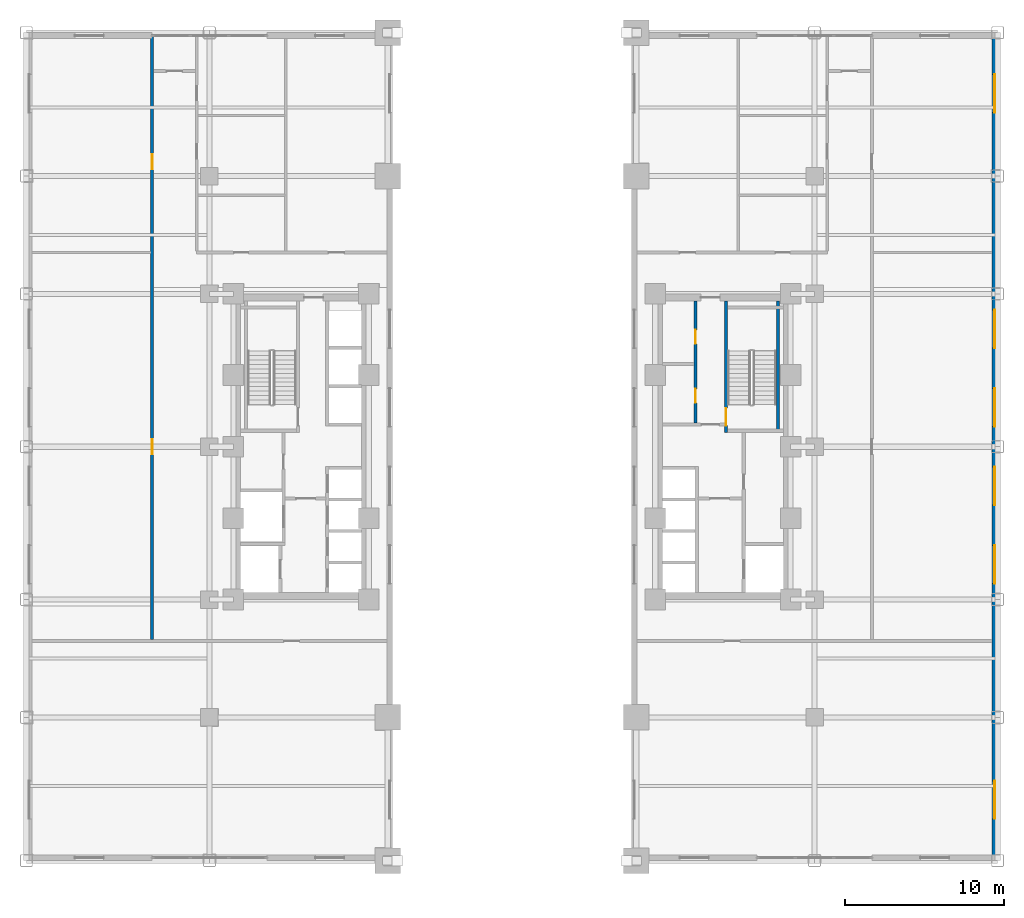
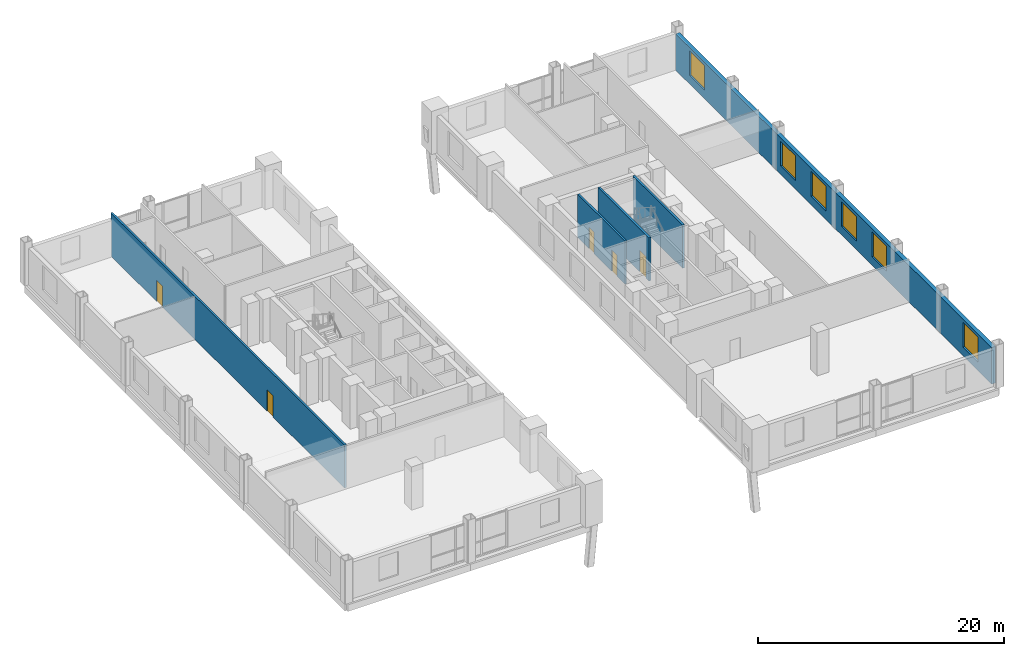
# One storey, part 5 of 15: 6 windows, 5 doors, 5 walls, 11 openings.
"""IFC4 building model written with IfcOpenShell, lengths in metres."""

from ifc_helpers import new_model, si_unit, direction, frame, frame_2d, origin, place, context, subcontext, project, spatial, rectangle, extrude, source, transform, mapped, material, layer, layer_set, type_object, type_shapes, element, fill, save


model = new_model("IFC4")

# Units and contexts
model_context = context("Model", 3, precision=1e-05, world=origin(), true_north=direction((0.0, 1.0)))
body_context = subcontext(model_context, "Body", "Model", "MODEL_VIEW")
ifc_project = project(units=[si_unit("LENGTHUNIT", "METRE"), si_unit("AREAUNIT", "SQUARE_METRE"), si_unit("VOLUMEUNIT", "CUBIC_METRE"), si_unit("PLANEANGLEUNIT", "RADIAN"), si_unit("MASSUNIT", "GRAM", prefix="KILO")], contexts=[model_context])

# Site, building, storey
site_placement = place(None, origin())
site = spatial("IfcSite", under=ifc_project, at=site_placement, CompositionType="ELEMENT")
building_placement = place(site_placement, origin())
building = spatial("IfcBuilding", under=site, at=building_placement, Name="Nuvemarco Arch Tower", CompositionType="ELEMENT")
storey_placement = place(building_placement, frame((0.0, 0.0, 4.60009765625)))
storey = spatial("IfcBuildingStorey", under=building, at=storey_placement, Name="L01", CompositionType="ELEMENT", Elevation=4.60009765625)

# Wall, openings, windows
ifc_material_1 = material(Name="Precast concrete C45/55", Category="concrete")
ifc_layer_1 = layer(ifc_material_1, 0.360107421875, Name="EW-POD-360")
ifc_layer_set_1 = layer_set([ifc_layer_1], Name="Precast concrete C45/55")
wall_type_1 = type_object("IfcWallType", Name="EW-POD-360", PredefinedType="STANDARD", material=ifc_layer_set_1)
wall_1_placement = place(storey_placement, frame((30.320068359375, -25.64404296875, 0.0), z_axis=(0.0, 0.0, 1.0), x_axis=(0.0, 1.0, 0.0)))
wall_1 = element("IfcWall", 1, at=wall_1_placement, inside=storey, type_object=wall_type_1, Name="L01 exterior precast facade wall 2", PredefinedType="STANDARD", context=body_context, shape_type="SweptSolid", body=[
    extrude(rectangle(XDim=51.2880859375, YDim=0.360107421875, at=frame_2d((25.64404296875, 0.0))), origin(), (0.0, 0.0, 1.0), 3.614990234375),
])
opening_1_placement = place(wall_1_placement, frame((2.264404296875, 0.0, 0.85009765625)))
opening_1 = element("IfcOpeningElement", 2, at=opening_1_placement, cuts=wall_1, Name="Opening WN-1", PredefinedType="OPENING", context=body_context, shape_type="SweptSolid", body=[
    extrude(rectangle(XDim=2.39990234375, YDim=2.449951171875, at=frame_2d((1.199951171875, 1.22509765625))), frame((0.0, 0.18994140625, 0.0), z_axis=(0.0, -1.0, 0.0), x_axis=(1.0, 0.0, 0.0)), (0.0, 0.0, 1.0), 0.380126953125),
])
opening_2_placement = place(wall_1_placement, frame((17.05078125, 0.0, 0.85009765625)))
opening_2 = element("IfcOpeningElement", 3, at=opening_2_placement, cuts=wall_1, Name="Opening WN-1", PredefinedType="OPENING", context=body_context, shape_type="SweptSolid", body=[
    extrude(rectangle(XDim=2.39990234375, YDim=2.449951171875, at=frame_2d((1.199951171875, 1.22509765625))), frame((0.0, 0.18994140625, 0.0), z_axis=(0.0, -1.0, 0.0), x_axis=(1.0, 0.0, 0.0)), (0.0, 0.0, 1.0), 0.380126953125),
])
opening_3_placement = place(wall_1_placement, frame((21.9794921875, 0.0, 0.85009765625)))
opening_3 = element("IfcOpeningElement", 4, at=opening_3_placement, cuts=wall_1, Name="Opening WN-1", PredefinedType="OPENING", context=body_context, shape_type="SweptSolid", body=[
    extrude(rectangle(XDim=2.39990234375, YDim=2.449951171875, at=frame_2d((1.199951171875, 1.22509765625))), frame((0.0, 0.18994140625, 0.0), z_axis=(0.0, -1.0, 0.0), x_axis=(1.0, 0.0, 0.0)), (0.0, 0.0, 1.0), 0.380126953125),
])
opening_4_placement = place(wall_1_placement, frame((26.908447265625, 0.0, 0.85009765625)))
opening_4 = element("IfcOpeningElement", 5, at=opening_4_placement, cuts=wall_1, Name="Opening WN-1", PredefinedType="OPENING", context=body_context, shape_type="SweptSolid", body=[
    extrude(rectangle(XDim=2.39990234375, YDim=2.449951171875, at=frame_2d((1.199951171875, 1.22509765625))), frame((0.0, 0.18994140625, 0.0), z_axis=(0.0, -1.0, 0.0), x_axis=(1.0, 0.0, 0.0)), (0.0, 0.0, 1.0), 0.380126953125),
])
opening_5_placement = place(wall_1_placement, frame((31.837158203125, 0.0, 0.85009765625)))
opening_5 = element("IfcOpeningElement", 6, at=opening_5_placement, cuts=wall_1, Name="Opening WN-1", PredefinedType="OPENING", context=body_context, shape_type="SweptSolid", body=[
    extrude(rectangle(XDim=2.39990234375, YDim=2.449951171875, at=frame_2d((1.199951171875, 1.22509765625))), frame((0.0, 0.18994140625, 0.0), z_axis=(0.0, -1.0, 0.0), x_axis=(1.0, 0.0, 0.0)), (0.0, 0.0, 1.0), 0.380126953125),
])
opening_6_placement = place(wall_1_placement, frame((46.62353515625, 0.0, 0.85009765625)))
opening_6 = element("IfcOpeningElement", 7, at=opening_6_placement, cuts=wall_1, Name="Opening WN-1", PredefinedType="OPENING", context=body_context, shape_type="SweptSolid", body=[
    extrude(rectangle(XDim=2.39990234375, YDim=2.449951171875, at=frame_2d((1.199951171875, 1.22509765625))), frame((0.0, 0.18994140625, 0.0), z_axis=(0.0, -1.0, 0.0), x_axis=(1.0, 0.0, 0.0)), (0.0, 0.0, 1.0), 0.380126953125),
])
ifc_material_2 = material(Name="Insulated solar-control glass", Category="glass")
window_type = type_object("IfcWindowType", Name="WN-POD-2400x2450", PartitioningType="DOUBLE_PANEL_VERTICAL", PredefinedType="WINDOW", material=ifc_material_2)
shared_shape_1 = source(origin(), body_context, "Body", "SweptSolid", [
    extrude(rectangle(XDim=2.39990234375, YDim=2.449951171875, at=frame_2d((1.199951171875, 1.22509765625))), frame((0.0, 0.030029296875, 0.0), z_axis=(0.0, -1.0, 0.0), x_axis=(1.0, 0.0, 0.0)), (0.0, 0.0, 1.0), 0.06005859375),
])
type_shapes(window_type, [shared_shape_1])
window_1_placement = place(opening_1_placement, origin())
window_1 = element("IfcWindow", 8, at=window_1_placement, inside=storey, type_object=window_type, Name="L01 punched facade window 1", OverallHeight=2.449951171875, OverallWidth=2.39990234375, PartitioningType="SINGLE_PANEL", PredefinedType="WINDOW", context=body_context, shape_type="MappedRepresentation", body=[
    mapped(shared_shape_1, transform((0.0, 0.0, 0.0), scale=1.0)),
])
fill(opening_1, window_1)
window_2_placement = place(opening_2_placement, origin())
window_2 = element("IfcWindow", 9, at=window_2_placement, inside=storey, type_object=window_type, Name="L01 punched facade window 4", OverallHeight=2.449951171875, OverallWidth=2.39990234375, PartitioningType="SINGLE_PANEL", PredefinedType="WINDOW", context=body_context, shape_type="MappedRepresentation", body=[
    mapped(shared_shape_1, transform((0.0, 0.0, 0.0), scale=1.0)),
])
fill(opening_2, window_2)
window_3_placement = place(opening_3_placement, origin())
window_3 = element("IfcWindow", 10, at=window_3_placement, inside=storey, type_object=window_type, Name="L01 punched facade window 5", OverallHeight=2.449951171875, OverallWidth=2.39990234375, PartitioningType="SINGLE_PANEL", PredefinedType="WINDOW", context=body_context, shape_type="MappedRepresentation", body=[
    mapped(shared_shape_1, transform((0.0, 0.0, 0.0), scale=1.0)),
])
fill(opening_3, window_3)
window_4_placement = place(opening_4_placement, origin())
window_4 = element("IfcWindow", 11, at=window_4_placement, inside=storey, type_object=window_type, Name="L01 punched facade window 6", OverallHeight=2.449951171875, OverallWidth=2.39990234375, PartitioningType="SINGLE_PANEL", PredefinedType="WINDOW", context=body_context, shape_type="MappedRepresentation", body=[
    mapped(shared_shape_1, transform((0.0, 0.0, 0.0), scale=1.0)),
])
fill(opening_4, window_4)
window_5_placement = place(opening_5_placement, origin())
window_5 = element("IfcWindow", 12, at=window_5_placement, inside=storey, type_object=window_type, Name="L01 punched facade window 7", OverallHeight=2.449951171875, OverallWidth=2.39990234375, PartitioningType="SINGLE_PANEL", PredefinedType="WINDOW", context=body_context, shape_type="MappedRepresentation", body=[
    mapped(shared_shape_1, transform((0.0, 0.0, 0.0), scale=1.0)),
])
fill(opening_5, window_5)
window_6_placement = place(opening_6_placement, origin())
window_6 = element("IfcWindow", 13, at=window_6_placement, inside=storey, type_object=window_type, Name="L01 punched facade window 10", OverallHeight=2.449951171875, OverallWidth=2.39990234375, PartitioningType="SINGLE_PANEL", PredefinedType="WINDOW", context=body_context, shape_type="MappedRepresentation", body=[
    mapped(shared_shape_1, transform((0.0, 0.0, 0.0), scale=1.0)),
])
fill(opening_6, window_6)

# Wall, openings, doors
ifc_material_3 = material(Name="Fire-rated gypsum drywall partition")
ifc_layer_2 = layer(ifc_material_3, 0.179931640625, Name="WL-CORR-180")
ifc_layer_set_2 = layer_set([ifc_layer_2], Name="Fire-rated gypsum drywall partition")
wall_type_2 = type_object("IfcWallType", Name="WL-CORR-180", PredefinedType="PARTITIONING", material=ifc_layer_set_2)
wall_2_placement = place(storey_placement, frame((11.52001953125, 1.489990234375, 0.0), z_axis=(0.0, 0.0, 1.0), x_axis=(0.0, 1.0, 0.0)))
wall_2 = element("IfcWall", 14, at=wall_2_placement, inside=storey, type_object=wall_type_2, Name="L01 interior wall IW-L01-EK2", PredefinedType="PARTITIONING", context=body_context, shape_type="SweptSolid", body=[
    extrude(rectangle(XDim=7.6650390625, YDim=0.179931640625, at=frame_2d((3.83251953125, 0.0))), origin(), (0.0, 0.0, 1.0), 4.27001953125),
])
opening_7_placement = place(wall_2_placement, frame((1.27001953125, 0.0, 0.0)))
opening_7 = element("IfcOpeningElement", 15, at=opening_7_placement, cuts=wall_2, Name="Opening FD-4", PredefinedType="OPENING", context=body_context, shape_type="SweptSolid", body=[
    extrude(rectangle(XDim=0.8798828125, YDim=2.10009765625, at=frame_2d((0.43994140625, 1.050048828125))), frame((0.0, 0.099853515625, 0.0), z_axis=(0.0, -1.0, 0.0), x_axis=(1.0, 0.0, 0.0)), (0.0, 0.0, 1.0), 0.199951171875),
])
opening_8_placement = place(wall_2_placement, frame((4.969970703125, 0.0, 0.0)))
opening_8 = element("IfcOpeningElement", 16, at=opening_8_placement, cuts=wall_2, Name="Opening FD-4", PredefinedType="OPENING", context=body_context, shape_type="SweptSolid", body=[
    extrude(rectangle(XDim=0.8798828125, YDim=2.10009765625, at=frame_2d((0.43994140625, 1.050048828125))), frame((0.0, 0.099853515625, 0.0), z_axis=(0.0, -1.0, 0.0), x_axis=(1.0, 0.0, 0.0)), (0.0, 0.0, 1.0), 0.199951171875),
])
ifc_material_4 = material(Name="Anodised steel fire door", Category="steel")
door_type_1 = type_object("IfcDoorType", Name="DR-RISER-FD", OperationType="NOTDEFINED", PredefinedType="DOOR", material=ifc_material_4)
shared_shape_2 = source(origin(), body_context, "Body", "SweptSolid", [
    extrude(rectangle(XDim=0.8798828125, YDim=2.10009765625, at=frame_2d((0.43994140625, 1.050048828125))), frame((0.0, 0.02490234375, 0.0), z_axis=(0.0, -1.0, 0.0), x_axis=(1.0, 0.0, 0.0)), (0.0, 0.0, 1.0), 0.050048828125),
])
type_shapes(door_type_1, [shared_shape_2])
door_1_placement = place(opening_7_placement, origin())
door_1 = element("IfcDoor", 17, at=door_1_placement, inside=storey, type_object=door_type_1, Name="L01 door FD-L01-EK2A", OperationType="SINGLE_SWING_RIGHT", OverallHeight=2.10009765625, OverallWidth=0.8798828125, PredefinedType="DOOR", context=body_context, shape_type="MappedRepresentation", body=[
    mapped(shared_shape_2, transform((0.0, 0.0, 0.0), scale=1.0)),
])
fill(opening_7, door_1)
door_2_placement = place(opening_8_placement, origin())
door_2 = element("IfcDoor", 18, at=door_2_placement, inside=storey, type_object=door_type_1, Name="L01 door FD-L01-EK2B", OperationType="SINGLE_SWING_LEFT", OverallHeight=2.10009765625, OverallWidth=0.8798828125, PredefinedType="DOOR", context=body_context, shape_type="MappedRepresentation", body=[
    mapped(shared_shape_2, transform((0.0, 0.0, 0.0), scale=1.0)),
])
fill(opening_8, door_2)

wall_3_placement = place(storey_placement, frame((-22.60009765625, -12.114013671875, 0.0), z_axis=(0.0, 0.0, 1.0), x_axis=(0.0, 1.0, 0.0)))
wall_3 = element("IfcWall", 19, at=wall_3_placement, inside=storey, type_object=wall_type_2, Name="L01 interior wall IW-L01-013", PredefinedType="PARTITIONING", context=body_context, shape_type="SweptSolid", body=[
    extrude(rectangle(XDim=37.9189453125, YDim=0.179931640625, at=frame_2d((18.95947265625, 0.0))), origin(), (0.0, 0.0, 1.0), 4.27001953125),
])
opening_9_placement = place(wall_3_placement, frame((11.634033203125, 0.0, 0.0)))
opening_9 = element("IfcOpeningElement", 20, at=opening_9_placement, cuts=wall_3, Name="Opening FD-5", PredefinedType="OPENING", context=body_context, shape_type="SweptSolid", body=[
    extrude(rectangle(XDim=0.9599609375, YDim=2.10009765625, at=frame_2d((0.47998046875, 1.050048828125))), frame((0.0, 0.099853515625, 0.0), z_axis=(0.0, -1.0, 0.0), x_axis=(1.0, 0.0, 0.0)), (0.0, 0.0, 1.0), 0.199951171875),
])
opening_10_placement = place(wall_3_placement, frame((29.533935546875, 0.0, 0.0)))
opening_10 = element("IfcOpeningElement", 21, at=opening_10_placement, cuts=wall_3, Name="Opening FD-5", PredefinedType="OPENING", context=body_context, shape_type="SweptSolid", body=[
    extrude(rectangle(XDim=0.9599609375, YDim=2.10009765625, at=frame_2d((0.47998046875, 1.050048828125))), frame((0.0, 0.099853515625, 0.0), z_axis=(0.0, -1.0, 0.0), x_axis=(1.0, 0.0, 0.0)), (0.0, 0.0, 1.0), 0.199951171875),
])
ifc_material_5 = material(Name="Timber fire door", Category="wood")
door_type_2 = type_object("IfcDoorType", Name="DR-CORR-FD", OperationType="NOTDEFINED", PredefinedType="DOOR", material=ifc_material_5)
shared_shape_3 = source(origin(), body_context, "Body", "SweptSolid", [
    extrude(rectangle(XDim=0.9599609375, YDim=2.10009765625, at=frame_2d((0.47998046875, 1.050048828125))), frame((0.0, 0.02490234375, 0.0), z_axis=(0.0, -1.0, 0.0), x_axis=(1.0, 0.0, 0.0)), (0.0, 0.0, 1.0), 0.050048828125),
])
type_shapes(door_type_2, [shared_shape_3])
door_3_placement = place(opening_9_placement, origin())
door_3 = element("IfcDoor", 22, at=door_3_placement, inside=storey, type_object=door_type_2, Name="L01 door DR-L01-POD_WCOW", OperationType="SINGLE_SWING_RIGHT", OverallHeight=2.10009765625, OverallWidth=0.9599609375, PredefinedType="DOOR", context=body_context, shape_type="MappedRepresentation", body=[
    mapped(shared_shape_3, transform((0.0, 0.0, 0.0), scale=1.0)),
])
fill(opening_9, door_3)
door_4_placement = place(opening_10_placement, origin())
door_4 = element("IfcDoor", 23, at=door_4_placement, inside=storey, type_object=door_type_2, Name="L01 door DR-L01-POD_WSEM", OperationType="SINGLE_SWING_RIGHT", OverallHeight=2.10009765625, OverallWidth=0.9599609375, PredefinedType="DOOR", context=body_context, shape_type="MappedRepresentation", body=[
    mapped(shared_shape_3, transform((0.0, 0.0, 0.0), scale=1.0)),
])
fill(opening_10, door_4)

# Wall, opening, door
ifc_material_6 = material(Name="Concrete C50/60", Category="concrete")
ifc_layer_3 = layer(ifc_material_6, 0.199951171875, Name="WL-SHAFT-220")
ifc_layer_set_3 = layer_set([ifc_layer_3], Name="Concrete C50/60")
wall_type_3 = type_object("IfcWallType", Name="WL-SHAFT-220", PredefinedType="SHEAR", material=ifc_layer_set_3)
wall_4_placement = place(storey_placement, frame((13.43994140625, 0.89990234375, 0.0), z_axis=(0.0, 0.0, 1.0), x_axis=(0.0, 1.0, 0.0)))
wall_4 = element("IfcWall", 24, at=wall_4_placement, inside=storey, type_object=wall_type_3, Name="L01 structural shaft wall SW-L01-E-ST2W", PredefinedType="SHEAR", context=body_context, shape_type="SweptSolid", body=[
    extrude(rectangle(XDim=8.255126953125, YDim=0.199951171875, at=frame_2d((4.12744140625, 0.0))), origin(), (0.0, 0.0, 1.0), 4.27978515625),
])
opening_11_placement = place(wall_4_placement, frame((0.429931640625, 0.0, 0.0)))
opening_11 = element("IfcOpeningElement", 25, at=opening_11_placement, cuts=wall_4, Name="Opening FD-1", PredefinedType="OPENING", context=body_context, shape_type="SweptSolid", body=[
    extrude(rectangle(XDim=1.10009765625, YDim=2.14990234375, at=frame_2d((0.550048828125, 1.074951171875))), frame((0.0, 0.10986328125, 0.0), z_axis=(0.0, -1.0, 0.0), x_axis=(1.0, 0.0, 0.0)), (0.0, 0.0, 1.0), 0.219970703125),
])
door_type_3 = type_object("IfcDoorType", Name="DR-STAIR-FD", OperationType="NOTDEFINED", PredefinedType="DOOR", material=ifc_material_4)
shared_shape_4 = source(origin(), body_context, "Body", "SweptSolid", [
    extrude(rectangle(XDim=1.10009765625, YDim=2.14990234375, at=frame_2d((0.550048828125, 1.074951171875))), frame((0.0, 0.02490234375, 0.0), z_axis=(0.0, -1.0, 0.0), x_axis=(1.0, 0.0, 0.0)), (0.0, 0.0, 1.0), 0.050048828125),
])
type_shapes(door_type_3, [shared_shape_4])
door_5_placement = place(opening_11_placement, origin())
door_5 = element("IfcDoor", 26, at=door_5_placement, inside=storey, type_object=door_type_3, Name="L01 door FD-L01-ST2", OperationType="SINGLE_SWING_RIGHT", OverallHeight=2.14990234375, OverallWidth=1.10009765625, PredefinedType="DOOR", context=body_context, shape_type="MappedRepresentation", body=[
    mapped(shared_shape_4, transform((0.0, 0.0, 0.0), scale=1.0)),
])
fill(opening_11, door_5)

# Wall
wall_5_placement = place(storey_placement, frame((16.699951171875, 1.094970703125, 0.0), z_axis=(0.0, 0.0, 1.0), x_axis=(0.0, 1.0, 0.0)))
element("IfcWall", 27, at=wall_5_placement, inside=storey, type_object=wall_type_3, Name="L01 structural shaft wall SW-L01-E-ST2E", PredefinedType="SHEAR", context=body_context, shape_type="SweptSolid", body=[
    extrude(rectangle(XDim=8.06005859375, YDim=0.199951171875, at=frame_2d((4.030029296875, 0.0))), origin(), (0.0, 0.0, 1.0), 4.27978515625),
])

save(model, "model.ifc")
